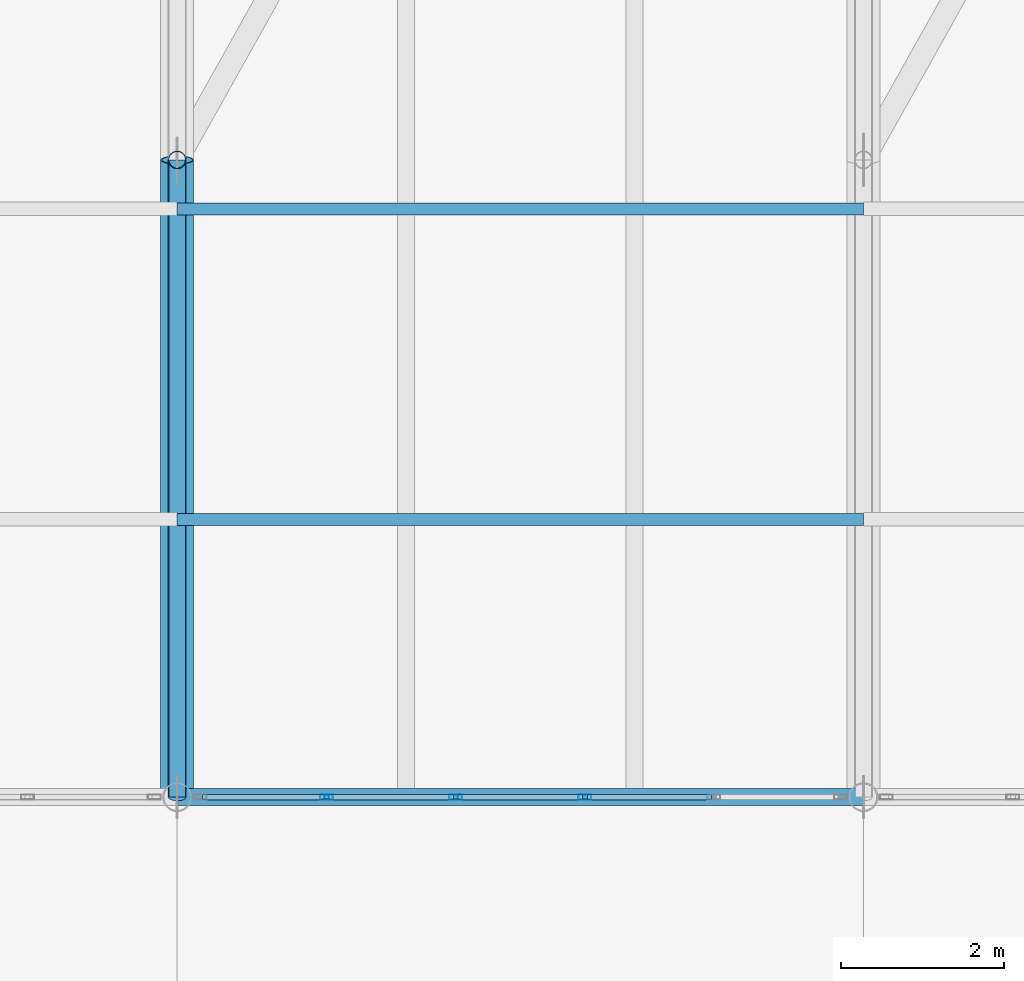
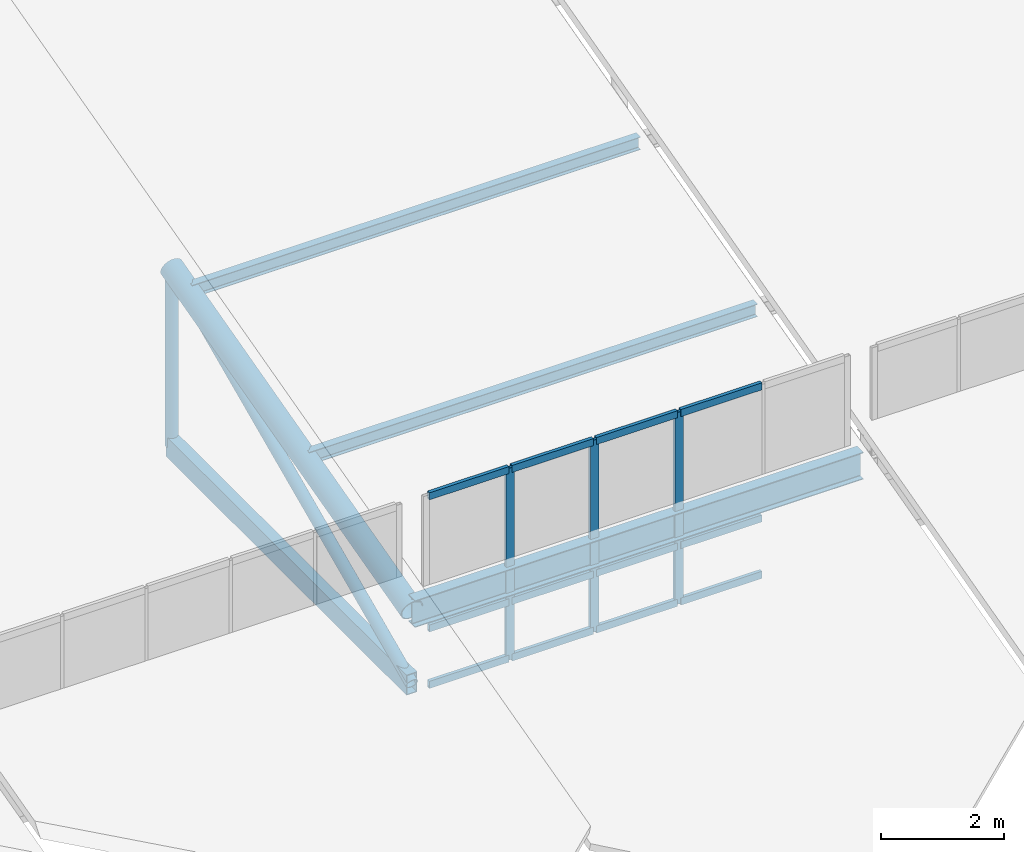
# One storey, part 20 of 43: 21 members, 1 beam, 1 element without a shape of its own.
"""IFC4 building model written with IfcOpenShell, lengths in metres."""

from ifc_helpers import new_model, si_unit, direction, frame, origin, origin_2d, place, context, subcontext, project, spatial, hollow_rectangle, hollow_circle, i_section, extrude, material, layer, layer_set, material_profile, profile_set, type_object, element, aggregate, save


model = new_model("IFC4")

# Units and contexts
model_context = context("Model", 3, precision=1e-05, world=origin(), true_north=direction((0.0, 1.0)))
body_context = subcontext(model_context, "Body", "Model", "MODEL_VIEW")
ifc_project = project(units=[si_unit("LENGTHUNIT", "METRE"), si_unit("AREAUNIT", "SQUARE_METRE"), si_unit("VOLUMEUNIT", "CUBIC_METRE"), si_unit("PLANEANGLEUNIT", "RADIAN"), si_unit("MASSUNIT", "GRAM", prefix="KILO")], contexts=[model_context])

# Site, building, storey
site_placement = place(None, origin())
site = spatial("IfcSite", under=ifc_project, at=site_placement, CompositionType="ELEMENT")
building_placement = place(site_placement, origin())
building = spatial("IfcBuilding", under=site, at=building_placement, Name="Selat Folded Stagehouse", CompositionType="ELEMENT")
storey_placement = place(building_placement, frame((0.0, 0.0, 32.39990234375)))
storey = spatial("IfcBuildingStorey", under=building, at=storey_placement, Name="RF", CompositionType="ELEMENT", Elevation=32.39990234375)

# Beam
ifc_material_1 = material(Name="Steel S355", Category="steel")
ifc_material_profile_1 = material_profile(ifc_material_1, i_section(OverallWidth=0.209228515625, OverallDepth=0.533203125, WebThickness=0.010009765625, FlangeThickness=0.015625, FilletRadius=0.0126953125, at=origin_2d()), Name="UKB 533x210x92")
ifc_profile_set_1 = profile_set([ifc_material_profile_1], Name="Steel S355")
beam_type = type_object("IfcBeamType", Name="BM-GIRD-533x210x92", PredefinedType="BEAM", material=ifc_profile_set_1)
beam_placement = place(storey_placement, frame((50.39990234375, 23.39990234375, 1.586181640625), z_axis=(1.0, 0.0, 0.0), x_axis=(0.0, 1.0, 0.0)))
element("IfcBeam", 1, at=beam_placement, inside=storey, type_object=beam_type, Name="RF bay 6 S roof bearer beam", PredefinedType="BEAM", context=body_context, shape_type="SweptSolid", body=[
    extrude(i_section(OverallWidth=0.209228515625, OverallDepth=0.533203125, WebThickness=0.010009765625, FlangeThickness=0.015625, FilletRadius=0.0126953125, at=origin_2d()), origin(), (0.0, 0.0, 1.0), 8.400146484375),
])

# Curtain wall, members
ifc_material_2 = material(Name="Aluminium 6063-T6", Category="aluminium")
ifc_layer = layer(ifc_material_2, 0.169921875)
ifc_layer_set = layer_set([ifc_layer], Name="Aluminium 6063-T6")
curtain_wall_type = type_object("IfcCurtainWallType", Name="CW-CRN-CLER", PredefinedType="NOTDEFINED", material=ifc_layer_set)
curtain_wall_placement = place(storey_placement, origin())
curtain_wall = element("IfcCurtainWall", 2, at=curtain_wall_placement, inside=storey, type_object=curtain_wall_type, Name="RF curtain wall CW-RF-S-05", PredefinedType="NOTDEFINED")
ifc_material_profile_2 = material_profile(ifc_material_2, hollow_rectangle(XDim=0.06005859375, YDim=0.159912109375, WallThickness=0.00390625, at=origin_2d()), Name="ALU 160x60x4.0")
ifc_profile_set_2 = profile_set([ifc_material_profile_2], Name="Aluminium 6063-T6")
member_type_1 = type_object("IfcMemberType", Name="CWM-MUL-160x60", PredefinedType="MULLION", material=ifc_profile_set_2)
member_1_placement = place(storey_placement, frame((55.389892578125, 23.39990234375, 0.0), z_axis=(0.0, 0.0, 1.0), x_axis=(0.0, -1.0, 0.0)))
member_1 = element("IfcMember", 3, at=member_1_placement, type_object=member_type_1, Name="CW-09 mullion 3", PredefinedType="MULLION", context=body_context, shape_type="SweptSolid", body=[
    extrude(hollow_rectangle(XDim=0.06005859375, YDim=0.159912109375, WallThickness=0.00390625, at=origin_2d()), origin(), (0.0, 0.0, 1.0), 3.800048828125),
])
member_2_placement = place(storey_placement, frame((53.81005859375, 23.39990234375, 0.0), z_axis=(0.0, 0.0, 1.0), x_axis=(0.0, -1.0, 0.0)))
member_2 = element("IfcMember", 4, at=member_2_placement, type_object=member_type_1, Name="CW-09 mullion 4", PredefinedType="MULLION", context=body_context, shape_type="SweptSolid", body=[
    extrude(hollow_rectangle(XDim=0.06005859375, YDim=0.159912109375, WallThickness=0.00390625, at=origin_2d()), origin(), (0.0, 0.0, 1.0), 3.800048828125),
])
member_3_placement = place(storey_placement, frame((52.22998046875, 23.39990234375, 0.0), z_axis=(0.0, 0.0, 1.0), x_axis=(0.0, -1.0, 0.0)))
member_3 = element("IfcMember", 5, at=member_3_placement, type_object=member_type_1, Name="CW-09 mullion 5", PredefinedType="MULLION", context=body_context, shape_type="SweptSolid", body=[
    extrude(hollow_rectangle(XDim=0.06005859375, YDim=0.159912109375, WallThickness=0.00390625, at=origin_2d()), origin(), (0.0, 0.0, 1.0), 3.800048828125),
])
ifc_material_profile_3 = material_profile(ifc_material_2, hollow_rectangle(XDim=0.06494140625, YDim=0.139892578125, WallThickness=0.00390625, at=origin_2d()), Name="ALU 140x65x4.0")
ifc_profile_set_3 = profile_set([ifc_material_profile_3], Name="Aluminium 6063-T6")
member_type_2 = type_object("IfcMemberType", Name="CWM-TRN-140x65", PredefinedType="USERDEFINED", material=ifc_profile_set_3)
member_4_placement = place(storey_placement, frame((56.93994140625, 23.39990234375, 0.03271484375), z_axis=(-1.0, 0.0, 0.0), x_axis=(0.0, -1.0, 0.0)))
member_4 = element("IfcMember", 6, at=member_4_placement, type_object=member_type_2, Name="CW-09 transom 2.1", ObjectType="TRANSOM", PredefinedType="USERDEFINED", context=body_context, shape_type="SweptSolid", body=[
    extrude(hollow_rectangle(XDim=0.06494140625, YDim=0.139892578125, WallThickness=0.00390625, at=origin_2d()), origin(), (0.0, 0.0, 1.0), 1.52001953125),
])
member_5_placement = place(storey_placement, frame((56.93994140625, 23.39990234375, 1.150146484375), z_axis=(-1.0, 0.0, 0.0), x_axis=(0.0, -1.0, 0.0)))
member_5 = element("IfcMember", 7, at=member_5_placement, type_object=member_type_2, Name="CW-09 transom 2.2", ObjectType="TRANSOM", PredefinedType="USERDEFINED", context=body_context, shape_type="SweptSolid", body=[
    extrude(hollow_rectangle(XDim=0.06494140625, YDim=0.139892578125, WallThickness=0.00390625, at=origin_2d()), origin(), (0.0, 0.0, 1.0), 1.52001953125),
])
member_6_placement = place(storey_placement, frame((56.93994140625, 23.39990234375, 3.767578125), z_axis=(-1.0, 0.0, 0.0), x_axis=(0.0, -1.0, 0.0)))
member_6 = element("IfcMember", 8, at=member_6_placement, type_object=member_type_2, Name="CW-09 transom 2.3", ObjectType="TRANSOM", PredefinedType="USERDEFINED", context=body_context, shape_type="SweptSolid", body=[
    extrude(hollow_rectangle(XDim=0.06494140625, YDim=0.139892578125, WallThickness=0.00390625, at=origin_2d()), origin(), (0.0, 0.0, 1.0), 1.52001953125),
])
member_7_placement = place(storey_placement, frame((55.360107421875, 23.39990234375, 0.03271484375), z_axis=(-1.0, 0.0, 0.0), x_axis=(0.0, -1.0, 0.0)))
member_7 = element("IfcMember", 9, at=member_7_placement, type_object=member_type_2, Name="CW-09 transom 3.1", ObjectType="TRANSOM", PredefinedType="USERDEFINED", context=body_context, shape_type="SweptSolid", body=[
    extrude(hollow_rectangle(XDim=0.06494140625, YDim=0.139892578125, WallThickness=0.00390625, at=origin_2d()), origin(), (0.0, 0.0, 1.0), 1.52001953125),
])
member_8_placement = place(storey_placement, frame((55.360107421875, 23.39990234375, 1.150146484375), z_axis=(-1.0, 0.0, 0.0), x_axis=(0.0, -1.0, 0.0)))
member_8 = element("IfcMember", 10, at=member_8_placement, type_object=member_type_2, Name="CW-09 transom 3.2", ObjectType="TRANSOM", PredefinedType="USERDEFINED", context=body_context, shape_type="SweptSolid", body=[
    extrude(hollow_rectangle(XDim=0.06494140625, YDim=0.139892578125, WallThickness=0.00390625, at=origin_2d()), origin(), (0.0, 0.0, 1.0), 1.52001953125),
])
member_9_placement = place(storey_placement, frame((55.360107421875, 23.39990234375, 3.767578125), z_axis=(-1.0, 0.0, 0.0), x_axis=(0.0, -1.0, 0.0)))
member_9 = element("IfcMember", 11, at=member_9_placement, type_object=member_type_2, Name="CW-09 transom 3.3", ObjectType="TRANSOM", PredefinedType="USERDEFINED", context=body_context, shape_type="SweptSolid", body=[
    extrude(hollow_rectangle(XDim=0.06494140625, YDim=0.139892578125, WallThickness=0.00390625, at=origin_2d()), origin(), (0.0, 0.0, 1.0), 1.52001953125),
])
member_10_placement = place(storey_placement, frame((53.780029296875, 23.39990234375, 0.03271484375), z_axis=(-1.0, 0.0, 0.0), x_axis=(0.0, -1.0, 0.0)))
member_10 = element("IfcMember", 12, at=member_10_placement, type_object=member_type_2, Name="CW-09 transom 4.1", ObjectType="TRANSOM", PredefinedType="USERDEFINED", context=body_context, shape_type="SweptSolid", body=[
    extrude(hollow_rectangle(XDim=0.06494140625, YDim=0.139892578125, WallThickness=0.00390625, at=origin_2d()), origin(), (0.0, 0.0, 1.0), 1.52001953125),
])
member_11_placement = place(storey_placement, frame((53.780029296875, 23.39990234375, 1.150146484375), z_axis=(-1.0, 0.0, 0.0), x_axis=(0.0, -1.0, 0.0)))
member_11 = element("IfcMember", 13, at=member_11_placement, type_object=member_type_2, Name="CW-09 transom 4.2", ObjectType="TRANSOM", PredefinedType="USERDEFINED", context=body_context, shape_type="SweptSolid", body=[
    extrude(hollow_rectangle(XDim=0.06494140625, YDim=0.139892578125, WallThickness=0.00390625, at=origin_2d()), origin(), (0.0, 0.0, 1.0), 1.52001953125),
])
member_12_placement = place(storey_placement, frame((53.780029296875, 23.39990234375, 3.767578125), z_axis=(-1.0, 0.0, 0.0), x_axis=(0.0, -1.0, 0.0)))
member_12 = element("IfcMember", 14, at=member_12_placement, type_object=member_type_2, Name="CW-09 transom 4.3", ObjectType="TRANSOM", PredefinedType="USERDEFINED", context=body_context, shape_type="SweptSolid", body=[
    extrude(hollow_rectangle(XDim=0.06494140625, YDim=0.139892578125, WallThickness=0.00390625, at=origin_2d()), origin(), (0.0, 0.0, 1.0), 1.52001953125),
])
member_13_placement = place(storey_placement, frame((52.199951171875, 23.39990234375, 0.03271484375), z_axis=(-1.0, 0.0, 0.0), x_axis=(0.0, -1.0, 0.0)))
member_13 = element("IfcMember", 15, at=member_13_placement, type_object=member_type_2, Name="CW-09 transom 5.1", ObjectType="TRANSOM", PredefinedType="USERDEFINED", context=body_context, shape_type="SweptSolid", body=[
    extrude(hollow_rectangle(XDim=0.06494140625, YDim=0.139892578125, WallThickness=0.00390625, at=origin_2d()), origin(), (0.0, 0.0, 1.0), 1.489990234375),
])
member_14_placement = place(storey_placement, frame((52.199951171875, 23.39990234375, 1.150146484375), z_axis=(-1.0, 0.0, 0.0), x_axis=(0.0, -1.0, 0.0)))
member_14 = element("IfcMember", 16, at=member_14_placement, type_object=member_type_2, Name="CW-09 transom 5.2", ObjectType="TRANSOM", PredefinedType="USERDEFINED", context=body_context, shape_type="SweptSolid", body=[
    extrude(hollow_rectangle(XDim=0.06494140625, YDim=0.139892578125, WallThickness=0.00390625, at=origin_2d()), origin(), (0.0, 0.0, 1.0), 1.489990234375),
])
member_15_placement = place(storey_placement, frame((52.199951171875, 23.39990234375, 3.767578125), z_axis=(-1.0, 0.0, 0.0), x_axis=(0.0, -1.0, 0.0)))
member_15 = element("IfcMember", 17, at=member_15_placement, type_object=member_type_2, Name="CW-09 transom 5.3", ObjectType="TRANSOM", PredefinedType="USERDEFINED", context=body_context, shape_type="SweptSolid", body=[
    extrude(hollow_rectangle(XDim=0.06494140625, YDim=0.139892578125, WallThickness=0.00390625, at=origin_2d()), origin(), (0.0, 0.0, 1.0), 1.489990234375),
])
aggregate(curtain_wall, [member_1, member_2, member_3, member_4, member_5, member_6, member_7, member_8, member_9, member_10, member_11, member_12, member_13, member_14, member_15])

# Members
ifc_material_profile_4 = material_profile(ifc_material_1, hollow_circle(Radius=0.109619140625, WallThickness=0.010009765625, at=origin_2d()), Name="CHS 219.1x10.0")
ifc_profile_set_4 = profile_set([ifc_material_profile_4], Name="Steel S355")
member_type_3 = type_object("IfcMemberType", Name="MEM-BRACE-CHS219", PredefinedType="BRACE", material=ifc_profile_set_4)
member_16_placement = place(storey_placement, frame((50.39990234375, 23.39990234375, 0.150146484375), z_axis=(0.0, 0.91168696029, 0.410885490664), x_axis=(-1.0, 0.0, 0.0)))
element("IfcMember", 18, at=member_16_placement, inside=storey, type_object=member_type_3, Name="Folded-plate web diagonal 6.1", PredefinedType="BRACE", context=body_context, shape_type="SweptSolid", body=[
    extrude(hollow_circle(Radius=0.109619140625, WallThickness=0.010009765625, at=origin_2d()), origin(), (0.0, 0.0, 1.0), 8.5556640625),
])
ifc_material_profile_5 = material_profile(ifc_material_1, hollow_circle(Radius=0.203125, WallThickness=0.01611328125, at=origin_2d()), Name="CHS 406.4x16.0")
ifc_profile_set_5 = profile_set([ifc_material_profile_5], Name="Steel S355")
member_type_4 = type_object("IfcMemberType", Name="MEM-CHORD-CHS406", PredefinedType="CHORD", material=ifc_profile_set_5)
member_17_placement = place(storey_placement, frame((50.39990234375, 23.39990234375, 1.605224609375), z_axis=(0.0, 0.966840500881, 0.255380981781), x_axis=(-1.0, 0.0, 0.0)))
element("IfcMember", 19, at=member_17_placement, inside=storey, type_object=member_type_4, Name="Folded-plate top chord 6.1", PredefinedType="CHORD", context=body_context, shape_type="SweptSolid", body=[
    extrude(hollow_circle(Radius=0.203125, WallThickness=0.01611328125, at=origin_2d()), origin(), (0.0, 0.0, 1.0), 8.067626953125),
])
ifc_material_profile_6 = material_profile(ifc_material_1, hollow_rectangle(XDim=0.199951171875, YDim=0.39990234375, WallThickness=0.012451171875, at=origin_2d()), Name="RHS 400x200x12.5")
ifc_profile_set_6 = profile_set([ifc_material_profile_6], Name="Steel S355")
member_type_5 = type_object("IfcMemberType", Name="MEM-CHORD-RHS400", PredefinedType="CHORD", material=ifc_profile_set_6)
member_18_placement = place(storey_placement, frame((50.39990234375, 23.39990234375, 0.150146484375), z_axis=(0.0, 1.0, 0.0), x_axis=(-1.0, 0.0, 0.0)))
element("IfcMember", 20, at=member_18_placement, inside=storey, type_object=member_type_5, Name="Folded-plate bottom tie 6.1", PredefinedType="CHORD", context=body_context, shape_type="SweptSolid", body=[
    extrude(hollow_rectangle(XDim=0.199951171875, YDim=0.39990234375, WallThickness=0.012451171875, at=origin_2d()), origin(), (0.0, 0.0, 1.0), 7.800048828125),
])
ifc_material_profile_7 = material_profile(ifc_material_1, hollow_circle(Radius=0.109619140625, WallThickness=0.010009765625, at=origin_2d()), Name="CHS 219.1x10.0")
ifc_profile_set_7 = profile_set([ifc_material_profile_7], Name="Steel S355")
member_type_6 = type_object("IfcMemberType", Name="MEM-POST-CHS219", PredefinedType="POST", material=ifc_profile_set_7)
member_19_placement = place(storey_placement, frame((50.39990234375, 31.199951171875, 0.150146484375), z_axis=(0.0, 0.0, 1.0), x_axis=(1.0, 0.0, 0.0)))
element("IfcMember", 21, at=member_19_placement, inside=storey, type_object=member_type_6, Name="Folded-plate truss post 6.1", PredefinedType="POST", context=body_context, shape_type="SweptSolid", body=[
    extrude(hollow_circle(Radius=0.109619140625, WallThickness=0.010009765625, at=origin_2d()), origin(), (0.0, 0.0, 1.0), 3.515380859375),
])
ifc_material_profile_8 = material_profile(ifc_material_1, i_section(OverallWidth=0.14599609375, OverallDepth=0.25146484375, WebThickness=0.006103515625, FlangeThickness=0.008544921875, FilletRadius=0.007568359375, at=origin_2d()), Name="UKB 254x146x31")
ifc_profile_set_8 = profile_set([ifc_material_profile_8], Name="Steel S355")
member_type_7 = type_object("IfcMemberType", Name="MEM-PURLIN-UKB254", PredefinedType="PURLIN", material=ifc_profile_set_8)
for number, where, z_axis, x_axis, name in (
    (22, (50.39990234375, 26.800048828125, 2.58349609375), (1.0, 0.0, 0.0), (0.0, 1.0, 0.0), "Folded-plate roof purlin bay 6.1"),
    (23, (50.39990234375, 30.60009765625, 3.58740234375), (1.0, 0.0, 0.0), (0.0, 1.0, 0.0), "Folded-plate roof purlin bay 6.2"),
):
    element("IfcMember", number, at=place(storey_placement, frame(where, z_axis=z_axis, x_axis=x_axis)), inside=storey, type_object=member_type_7, Name=name, PredefinedType="PURLIN", context=body_context, shape_type="SweptSolid", body=[
        extrude(i_section(OverallWidth=0.14599609375, OverallDepth=0.25146484375, WebThickness=0.006103515625, FlangeThickness=0.008544921875, FilletRadius=0.007568359375, at=origin_2d()), origin(), (0.0, 0.0, 1.0), 8.400146484375),
    ])

save(model, "model.ifc")
